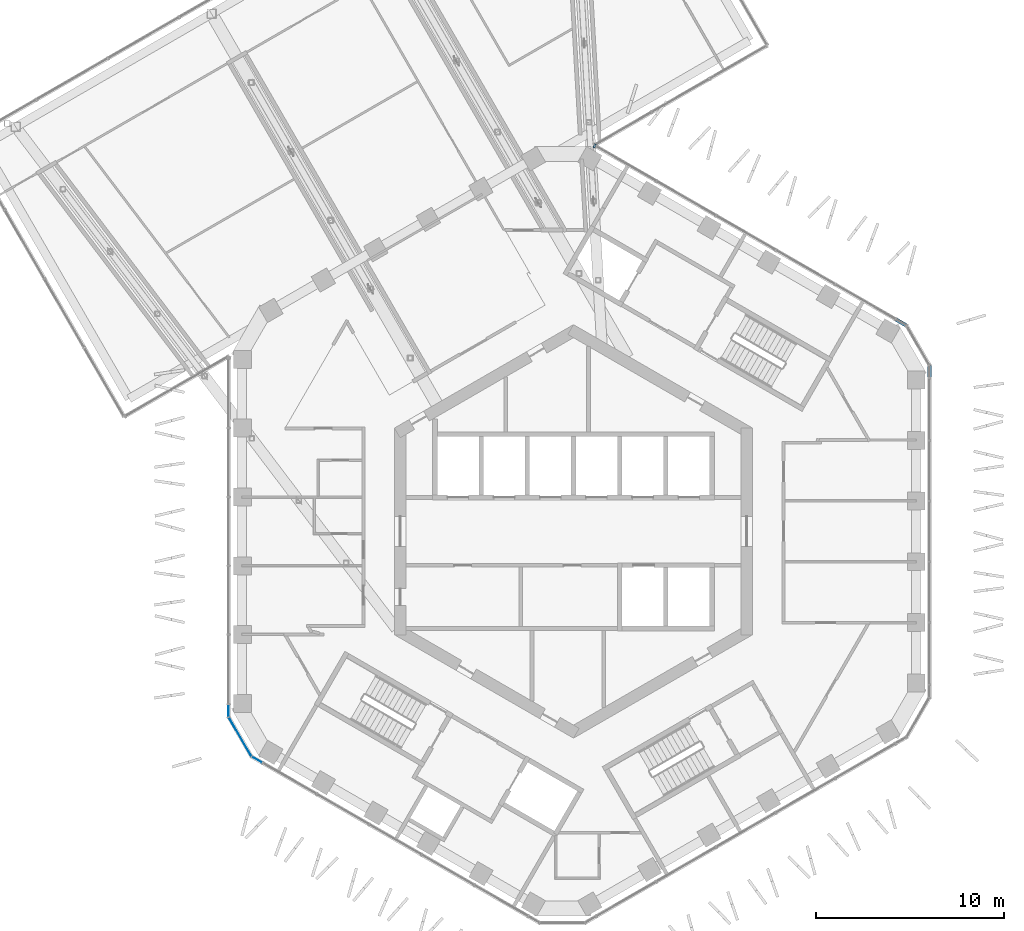
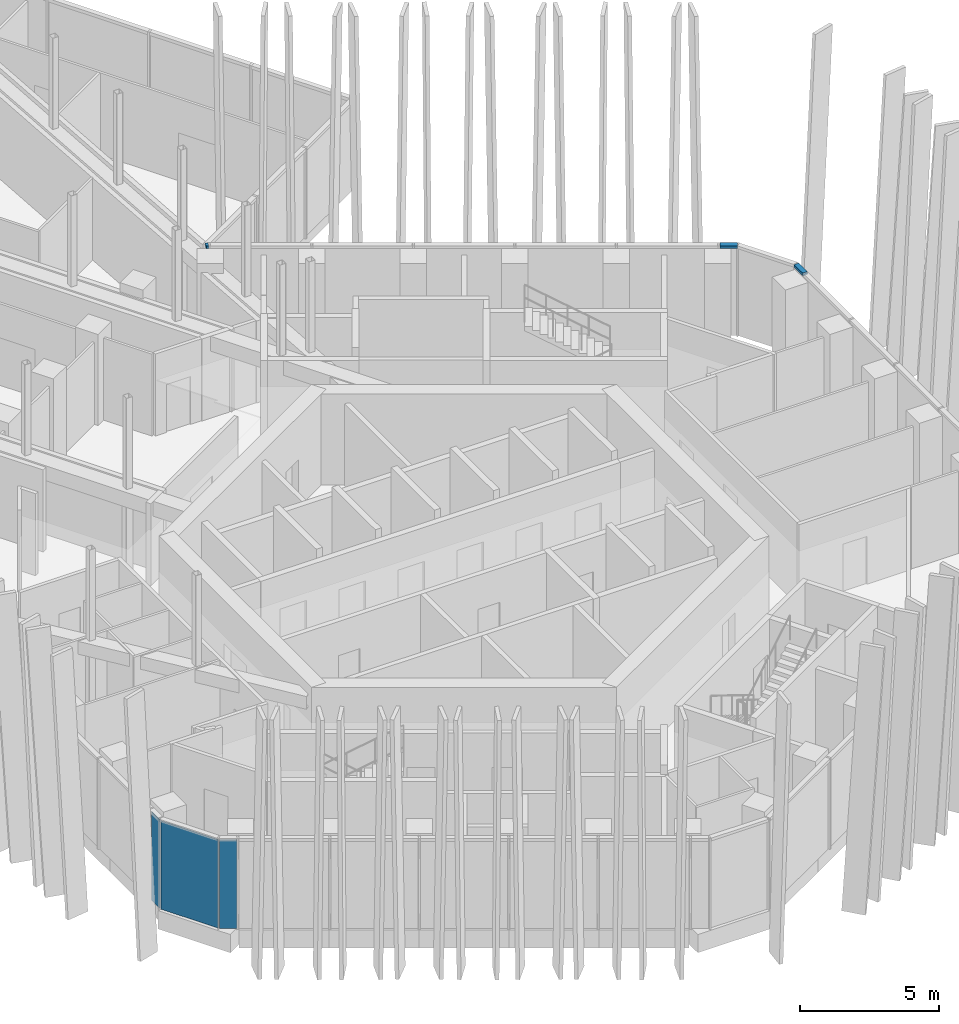
# One storey, part 11 of 29: 3 members, 3 plates, 3 elements without a shape of their own.
"""IFC4 building model written with IfcOpenShell, lengths in metres."""

from ifc_helpers import new_model, si_unit, direction, frame, origin, origin_2d, place, context, subcontext, project, spatial, rectangle, extrude, material, layer, layer_set, material_profile, profile_set, type_object, element, aggregate, save


model = new_model("IFC4")

# Units and contexts
model_context = context("Model", 3, precision=1e-05, world=origin(), true_north=direction((0.0, 1.0)))
body_context = subcontext(model_context, "Body", "Model", "MODEL_VIEW")
ifc_project = project(units=[si_unit("LENGTHUNIT", "METRE"), si_unit("AREAUNIT", "SQUARE_METRE"), si_unit("VOLUMEUNIT", "CUBIC_METRE"), si_unit("PLANEANGLEUNIT", "RADIAN"), si_unit("MASSUNIT", "GRAM", prefix="KILO")], contexts=[model_context])

# Site, building, storey
site_placement = place(None, origin())
site = spatial("IfcSite", under=ifc_project, at=site_placement, CompositionType="ELEMENT")
building_placement = place(site_placement, origin())
building = spatial("IfcBuilding", under=site, at=building_placement, Name="Ayvan Gate Tower", CompositionType="ELEMENT")
storey_placement = place(building_placement, frame((0.0, 0.0, 186.699951171875)))
storey = spatial("IfcBuildingStorey", under=building, at=storey_placement, Name="L50", CompositionType="ELEMENT", Elevation=186.699951171875)

# Curtain wall, members
ifc_material_1 = material(Name="Bronze anodised aluminium", Category="aluminium")
ifc_layer_1 = layer(ifc_material_1, 0.199951171875)
ifc_layer_set_1 = layer_set([ifc_layer_1], Name="Bronze anodised aluminium")
curtain_wall_type = type_object("IfcCurtainWallType", Name="Stick curtain wall CW-6", PredefinedType="NOTDEFINED", material=ifc_layer_set_1)
curtain_wall_1_placement = place(storey_placement, origin())
curtain_wall_1 = element("IfcCurtainWall", 1, at=curtain_wall_1_placement, inside=storey, type_object=curtain_wall_type, Name="Stick curtain wall CW-6 L50", PredefinedType="NOTDEFINED")
ifc_material_profile = material_profile(ifc_material_1, rectangle(XDim=0.199951171875, YDim=0.1201171875, at=origin_2d()), Name="Stick curtain wall CW-6 transom 200 x 120")
ifc_profile_set = profile_set([ifc_material_profile], Name="Bronze anodised aluminium")
member_type = type_object("IfcMemberType", Name="Stick curtain wall CW-6 transom 200 x 120", PredefinedType="USERDEFINED", material=ifc_profile_set)
member_1_placement = place(storey_placement, frame((18.886474609375, 8.1748046875, 3.93994140625), z_axis=(0.0, 1.0, 0.0), x_axis=(-1.0, 0.0, 0.0)))
member_1 = element("IfcMember", 2, at=member_1_placement, type_object=member_type, Name="CW-6 transom 1", ObjectType="TRANSOM", PredefinedType="USERDEFINED", context=body_context, shape_type="SweptSolid", body=[
    extrude(rectangle(XDim=0.199951171875, YDim=0.1201171875, at=origin_2d()), origin(), (0.0, 0.0, 1.0), 0.625),
])
member_2_placement = place(storey_placement, frame((17.65771484375, 10.928466796875, 3.93994140625), z_axis=(-0.866022959057, 0.500004234368, 0.0), x_axis=(-0.500004234368, -0.866022959057, 0.0)))
member_2 = element("IfcMember", 3, at=member_2_placement, type_object=member_type, Name="CW-6 transom 3", ObjectType="TRANSOM", PredefinedType="USERDEFINED", context=body_context, shape_type="SweptSolid", body=[
    extrude(rectangle(XDim=0.199951171875, YDim=0.1201171875, at=origin_2d()), origin(), (0.0, 0.0, 1.0), 0.625),
])
aggregate(curtain_wall_1, [member_1, member_2])

# Curtain wall, member
curtain_wall_2_placement = place(storey_placement, origin())
curtain_wall_2 = element("IfcCurtainWall", 4, at=curtain_wall_2_placement, inside=storey, type_object=curtain_wall_type, Name="Stick curtain wall CW-6 L50", PredefinedType="NOTDEFINED")
member_3_placement = place(storey_placement, frame((1.1767578125, 20.443603515625, 3.93994140625), z_axis=(-0.966112425525, 0.258121640407, 0.0), x_axis=(-0.258121640407, -0.966112425525, 0.0)))
member_3 = element("IfcMember", 5, at=member_3_placement, type_object=member_type, Name="CW-6 transom 1", ObjectType="TRANSOM", PredefinedType="USERDEFINED", context=body_context, shape_type="SweptSolid", body=[
    extrude(rectangle(XDim=0.199951171875, YDim=0.1201171875, at=origin_2d()), origin(), (0.0, 0.0, 1.0), 0.099365234375),
])
aggregate(curtain_wall_2, [member_3])

# Curtain wall, plates
curtain_wall_3_placement = place(storey_placement, origin())
curtain_wall_3 = element("IfcCurtainWall", 6, at=curtain_wall_3_placement, inside=storey, type_object=curtain_wall_type, Name="Stick curtain wall CW-6 L50", PredefinedType="NOTDEFINED")
ifc_material_2 = material(Name="Clear low-iron laminated glass", Category="glass")
ifc_layer_2 = layer(ifc_material_2, 0.028076171875)
ifc_layer_set_2 = layer_set([ifc_layer_2], Name="Clear low-iron laminated glass")
plate_type = type_object("IfcPlateType", Name="Stick curtain wall CW-6 glass panel", PredefinedType="CURTAIN_PANEL", material=ifc_layer_set_2)
plate_1_placement = place(storey_placement, frame((-18.29296875, -9.51513671875, 0.0), z_axis=(0.0, 0.0, 1.0), x_axis=(0.0, -1.0, 0.0)))
plate_1 = element("IfcPlate", 7, at=plate_1_placement, type_object=plate_type, Name="CW-6 glass panel 1", PredefinedType="CURTAIN_PANEL", context=body_context, shape_type="SweptSolid", body=[
    extrude(rectangle(XDim=0.625, YDim=0.028076171875, at=origin_2d()), origin(), (0.0, 0.0, 1.0), 3.8798828125),
])
plate_2_placement = place(storey_placement, frame((-17.689453125, -10.898193359375, 0.0), z_axis=(0.0, 0.0, 1.0), x_axis=(0.5, -0.866025403784, 0.0)))
plate_2 = element("IfcPlate", 8, at=plate_2_placement, type_object=plate_type, Name="CW-6 glass panel 2", PredefinedType="CURTAIN_PANEL", context=body_context, shape_type="SweptSolid", body=[
    extrude(rectangle(XDim=2.364501953125, YDim=0.028076171875, at=origin_2d()), origin(), (0.0, 0.0, 1.0), 3.8798828125),
])
plate_3_placement = place(storey_placement, frame((-16.79345703125, -12.112548828125, 0.0), z_axis=(0.0, 0.0, 1.0), x_axis=(0.866025403784, -0.5, 0.0)))
plate_3 = element("IfcPlate", 9, at=plate_3_placement, type_object=plate_type, Name="CW-6 glass panel 3", PredefinedType="CURTAIN_PANEL", context=body_context, shape_type="SweptSolid", body=[
    extrude(rectangle(XDim=0.625, YDim=0.028076171875, at=origin_2d()), origin(), (0.0, 0.0, 1.0), 3.8798828125),
])
aggregate(curtain_wall_3, [plate_1, plate_2, plate_3])

save(model, "model.ifc")
